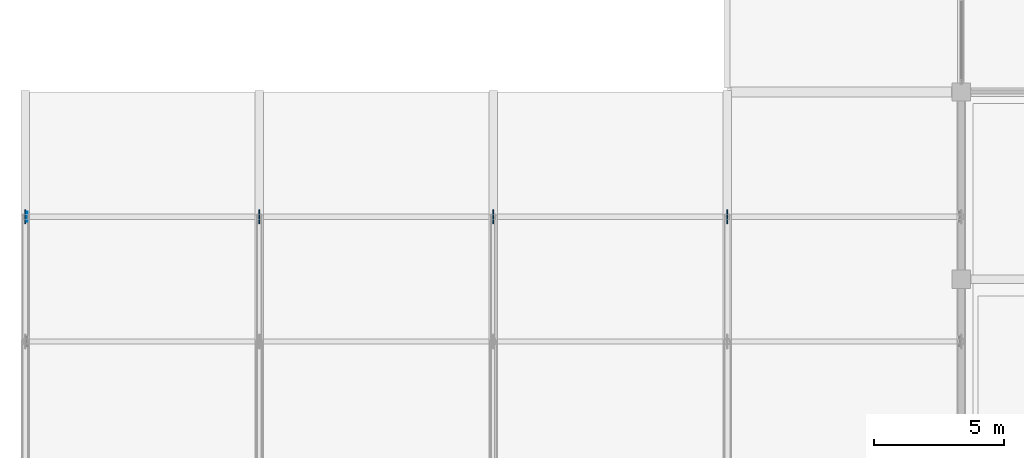
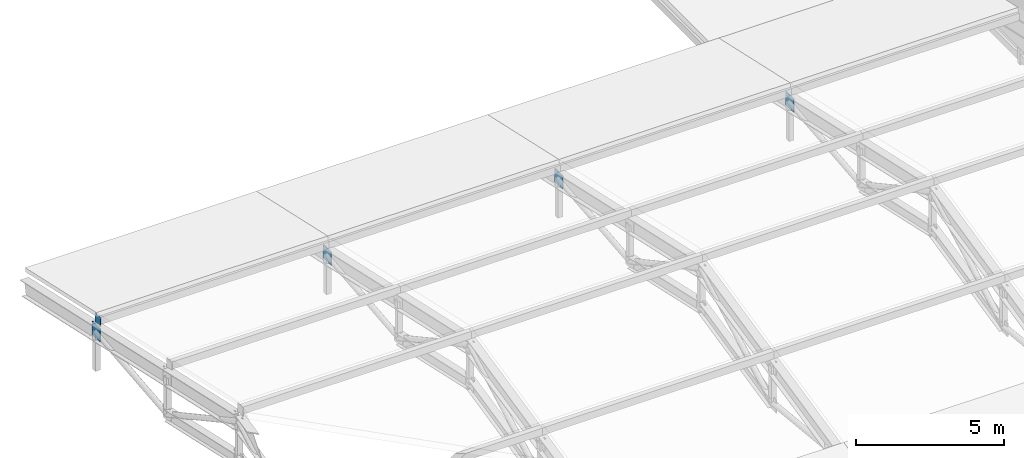
# One storey, part 106 of 151: 5 plates.
"""IFC4 building model written with IfcOpenShell, lengths in metres."""

from ifc_helpers import new_model, si_unit, direction, frame, origin, origin_2d, place, context, subcontext, project, spatial, rectangle, extrude, material, layer, layer_set, type_object, element, save


model = new_model("IFC4")

# Units and contexts
model_context = context("Model", 3, precision=1e-05, world=origin(), true_north=direction((0.0, 1.0)))
body_context = subcontext(model_context, "Body", "Model", "MODEL_VIEW")
ifc_project = project(units=[si_unit("LENGTHUNIT", "METRE"), si_unit("AREAUNIT", "SQUARE_METRE"), si_unit("VOLUMEUNIT", "CUBIC_METRE"), si_unit("PLANEANGLEUNIT", "RADIAN"), si_unit("MASSUNIT", "GRAM", prefix="KILO")], contexts=[model_context])

# Site, building, storey
site_placement = place(None, origin())
site = spatial("IfcSite", under=ifc_project, at=site_placement, CompositionType="ELEMENT")
building_placement = place(site_placement, origin())
building = spatial("IfcBuilding", under=site, at=building_placement, Name="Celestram Park Convention Centre", CompositionType="ELEMENT")
storey_placement = place(building_placement, frame((0.0, 0.0, 10.800048828125)))
storey = spatial("IfcBuildingStorey", under=building, at=storey_placement, Name="L02", CompositionType="ELEMENT", Elevation=10.800048828125)

# Plates
ifc_material = material(Name="Steel ASTM A572 Grade 50", Category="steel")
ifc_layer_1 = layer(ifc_material, 0.02490234375)
ifc_layer_set_1 = layer_set([ifc_layer_1], Name="Steel ASTM A572 Grade 50")
plate_type_1 = type_object("IfcPlateType", Name="STR-PLT-EC350", PredefinedType="USERDEFINED", material=ifc_layer_set_1)
plate_placement = place(storey_placement, frame((0.068115234375, 132.0, 1.106689453125), z_axis=(0.0, 0.0, 1.0), x_axis=(0.0, 1.0, 0.0)))
element("IfcPlate", 1, at=plate_placement, inside=storey, type_object=plate_type_1, Name="HSS purlin end closure cap plate EC-L02-181", ObjectType="GUSSET_PLATE", PredefinedType="USERDEFINED", context=body_context, shape_type="SweptSolid", body=[
    extrude(rectangle(XDim=0.3701171875, YDim=0.02490234375, at=origin_2d()), origin(), (0.0, 0.0, 1.0), 0.3701171875),
])
ifc_layer_2 = layer(ifc_material, 0.0400390625)
ifc_layer_set_2 = layer_set([ifc_layer_2], Name="Steel ASTM A572 Grade 50")
plate_type_2 = type_object("IfcPlateType", Name="STR-PLT-GP40", PredefinedType="USERDEFINED", material=ifc_layer_set_2)
for number, where, z_axis, x_axis, name in (
    (2, (0.0, 132.0, 0.5556640625), (0.0, 0.0, 1.0), (0.0, 1.0, 0.0), "WPV truss node gusset plate"),
    (3, (9.0, 132.0, 0.5556640625), (0.0, 0.0, 1.0), (0.0, 1.0, 0.0), "WPV truss node gusset plate"),
    (4, (18.0, 132.0, 0.5556640625), (0.0, 0.0, 1.0), (0.0, 1.0, 0.0), "WPV truss node gusset plate"),
    (5, (27.0, 132.0, 0.5556640625), (0.0, 0.0, 1.0), (0.0, 1.0, 0.0), "WPV truss node gusset plate"),
):
    element("IfcPlate", number, at=place(storey_placement, frame(where, z_axis=z_axis, x_axis=x_axis)), inside=storey, type_object=plate_type_2, Name=name, ObjectType="GUSSET_PLATE", PredefinedType="USERDEFINED", context=body_context, shape_type="SweptSolid", body=[
        extrude(rectangle(XDim=0.550048828125, YDim=0.0400390625, at=origin_2d()), origin(), (0.0, 0.0, 1.0), 0.550048828125),
    ])

save(model, "model.ifc")
